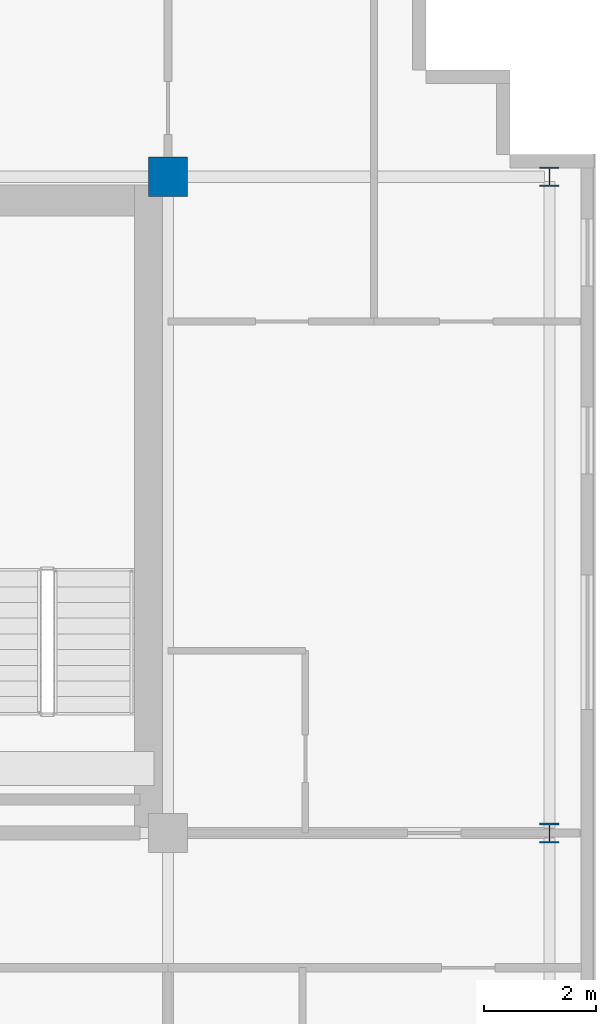
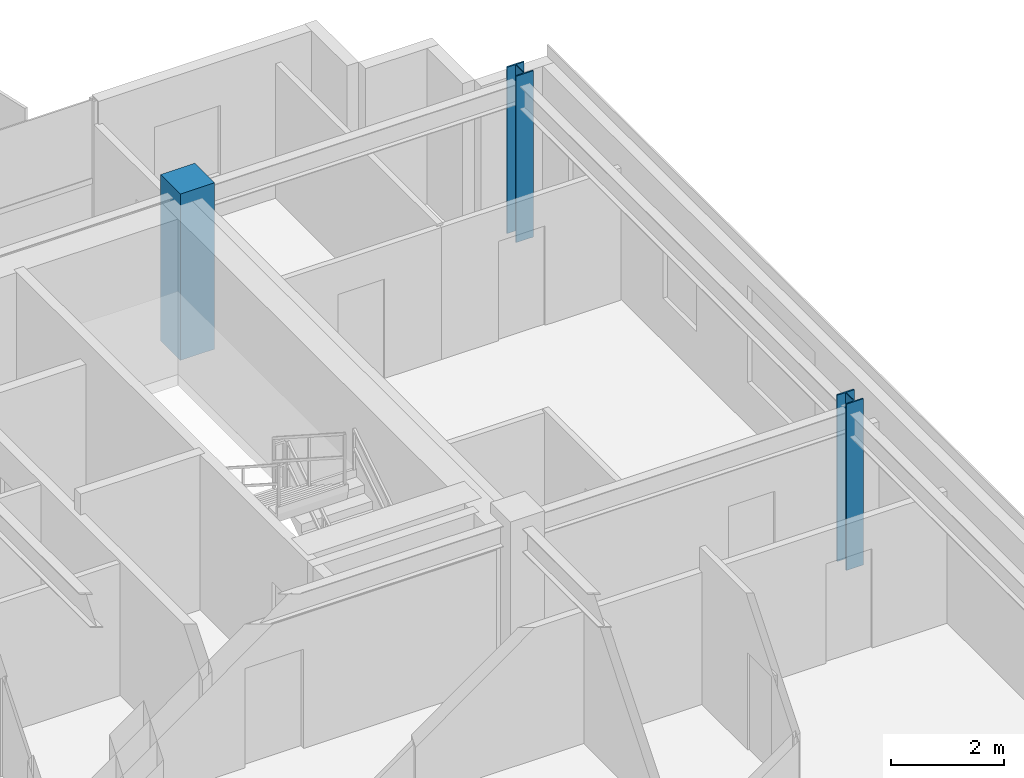
# One storey, part 4 of 23: 3 columns.
"""IFC4 building model written with IfcOpenShell, lengths in metres."""

import ifcopenshell
import ifcopenshell.guid

model = None  # the IFC model being written
_history = None  # IfcOwnerHistory: only IFC2X3 demands one
_inside = {}  # id of a spatial element -> (the spatial element, [elements in it])
_under = {}  # id of a project, library or spatial element -> (it, [spatial elements below it])
_declared = {}  # id of a project -> (the project, [libraries it declares])
_typed = {}  # id of a type object -> (the type object, [elements of that type])
_made_of = {}  # id of a material, layer set ... -> (it, [elements and type objects made of it])


def new_model(schema):
    """Start an empty IFC model of exactly this schema.

    Asked for "IFC4X3", IfcOpenShell would pick the latest addendum, in which some entities
    have other attributes; the version numbers below select the first issue.
    IFC2X3 requires an IfcOwnerHistory on every rooted entity: one is made here for all.
    """
    global model, _history
    if schema == "IFC4X3":
        model = ifcopenshell.file(schema_version=(4, 3, 0, 0))
    else:
        model = ifcopenshell.file(schema=schema)
    _inside.clear()
    _under.clear()
    _declared.clear()
    _typed.clear()
    _made_of.clear()
    _history = None
    if model.schema == "IFC2X3":
        org = make("IfcOrganization", Name="unknown")
        user = make(
            "IfcPersonAndOrganization",
            ThePerson=make("IfcPerson", FamilyName="unknown"),
            TheOrganization=org,
        )
        app = make(
            "IfcApplication",
            ApplicationDeveloper=org,
            Version="unknown",
            ApplicationFullName="unknown",
            ApplicationIdentifier="unknown",
        )
        _history = make(
            "IfcOwnerHistory",
            OwningUser=user,
            OwningApplication=app,
            ChangeAction="ADDED",
            CreationDate=0,
        )
    return model


def make(cls, **values):
    """One entity of the class cls with the attributes given. An attribute that is None is left unset."""
    return model.create_entity(
        cls, **{name: value for name, value in values.items() if value is not None}
    )


def rooted(cls, **values):
    """An entity with a GlobalId (a new one), such as an element, a storey or a relation."""
    return make(cls, GlobalId=ifcopenshell.guid.new(), OwnerHistory=_history, **values)


def si_unit(unit_type, name, prefix=None):
    """IfcSIUnit, for example si_unit("LENGTHUNIT", "METRE", prefix="MILLI")."""
    return make("IfcSIUnit", UnitType=unit_type, Prefix=prefix, Name=name)


def assignment(units):
    """IfcUnitAssignment: the units of a project."""
    return None if units is None else make("IfcUnitAssignment", Units=units)


def point(xyz):
    """IfcCartesianPoint."""
    return None if xyz is None else make("IfcCartesianPoint", Coordinates=xyz)


def direction(xyz):
    """IfcDirection."""
    return None if xyz is None else make("IfcDirection", DirectionRatios=xyz)


def frame(location, z_axis=None, x_axis=None):
    """IfcAxis2Placement3D, a coordinate frame: its origin and axes. An axis left out is left unset."""
    return make(
        "IfcAxis2Placement3D",
        Location=point(location),
        Axis=direction(z_axis),
        RefDirection=direction(x_axis),
    )


def frame_2d(location, x_axis=None):
    """IfcAxis2Placement2D, a coordinate frame in the plane: its origin and x axis."""
    return make(
        "IfcAxis2Placement2D", Location=point(location), RefDirection=direction(x_axis)
    )


def origin():
    """The frame at (0, 0, 0) with its axes left unset."""
    return frame((0.0, 0.0, 0.0))


def origin_2d():
    """The frame at (0, 0) in the plane with its x axis left unset."""
    return frame_2d((0.0, 0.0))


def place(relative_to, where):
    """IfcLocalPlacement: puts the frame where relative to a parent placement (None: the world)."""
    return make(
        "IfcLocalPlacement", PlacementRelTo=relative_to, RelativePlacement=where
    )


def context(
    kind, dimensions, precision=None, world=None, true_north=None, identifier=None
):
    """IfcGeometricRepresentationContext, for example the 3D "Model" context."""
    return make(
        "IfcGeometricRepresentationContext",
        ContextIdentifier=identifier,
        ContextType=kind,
        CoordinateSpaceDimension=dimensions,
        Precision=precision,
        WorldCoordinateSystem=world,
        TrueNorth=true_north,
    )


def subcontext(parent, identifier, kind, view, scale=None):
    """IfcGeometricRepresentationSubContext, for example "Body" below "Model"."""
    return make(
        "IfcGeometricRepresentationSubContext",
        ContextIdentifier=identifier,
        ContextType=kind,
        ParentContext=parent,
        TargetScale=scale,
        TargetView=view,
    )


def project(units=None, contexts=None):
    """IfcProject with its units and contexts."""
    return rooted(
        "IfcProject",
        Name="project",
        RepresentationContexts=contexts,
        UnitsInContext=assignment(units),
    )


def spatial(cls, under=None, at=None, **own):
    """A site, building, storey or space (cls), placed at a placement, below another one or the project."""
    s = rooted(cls, ObjectPlacement=at, **own)
    if under is not None:
        _under.setdefault(under.id(), (under, []))[1].append(s)
    return s


def profile(cls, at=None, kind="AREA", **sizes):
    """A parametric profile (cls). Its sizes go by their IFC names, for example OverallWidth=200.0."""
    return make(cls, ProfileType=kind, Position=at, **sizes)


def rectangle(**sizes):
    """IfcRectangleProfileDef."""
    return profile("IfcRectangleProfileDef", **sizes)


def i_section(**sizes):
    """IfcIShapeProfileDef."""
    return profile("IfcIShapeProfileDef", **sizes)


def extrude(swept, where, along, depth):
    """IfcExtrudedAreaSolid: the profile swept, set in the frame where, extruded along a direction by depth."""
    return make(
        "IfcExtrudedAreaSolid",
        SweptArea=swept,
        Position=where,
        ExtrudedDirection=direction(along),
        Depth=depth,
    )


def shape(context_of_items, identifier, shape_type, items):
    """IfcShapeRepresentation: the items that make up one representation, for example the "Body"."""
    return make(
        "IfcShapeRepresentation",
        ContextOfItems=context_of_items,
        RepresentationIdentifier=identifier,
        RepresentationType=shape_type,
        Items=items,
    )


def source(mapping_origin, context_of_items, identifier, shape_type, items):
    """IfcRepresentationMap: a shape defined once, which mapped items show again and again."""
    return make(
        "IfcRepresentationMap",
        MappingOrigin=mapping_origin,
        MappedRepresentation=shape(context_of_items, identifier, shape_type, items),
    )


def transform(
    local_origin,
    x_axis=None,
    y_axis=None,
    z_axis=None,
    scale=None,
    scale2=None,
    scale3=None,
    uniform=True,
):
    """IfcCartesianTransformationOperator3D, or its non-uniform kind. x_axis, y_axis, z_axis: its Axis1, 2, 3."""
    if uniform:
        return make(
            "IfcCartesianTransformationOperator3D",
            Axis1=direction(x_axis),
            Axis2=direction(y_axis),
            LocalOrigin=point(local_origin),
            Scale=scale,
            Axis3=direction(z_axis),
        )
    return make(
        "IfcCartesianTransformationOperator3DnonUniform",
        Axis1=direction(x_axis),
        Axis2=direction(y_axis),
        LocalOrigin=point(local_origin),
        Scale=scale,
        Axis3=direction(z_axis),
        Scale2=scale2,
        Scale3=scale3,
    )


def mapped(mapping_source, mapping_target):
    """IfcMappedItem: shows the shape of a source again, moved by a transform."""
    return make(
        "IfcMappedItem", MappingSource=mapping_source, MappingTarget=mapping_target
    )


def material(Name=None, Category=None):
    """IfcMaterial."""
    return make("IfcMaterial", Name=Name, Category=Category)


def material_profile(
    of_material, cross_section, Name=None, Category=None, Priority=None
):
    """IfcMaterialProfile: a cross section and its material."""
    return make(
        "IfcMaterialProfile",
        Name=Name,
        Material=of_material,
        Profile=cross_section,
        Priority=Priority,
        Category=Category,
    )


def profile_set(profiles, Name=None, composite=None):
    """IfcMaterialProfileSet."""
    return make(
        "IfcMaterialProfileSet",
        Name=Name,
        MaterialProfiles=profiles,
        CompositeProfile=composite,
    )


def made_of(thing, what):
    """Note that an element or type object is made of a material, layer set ...; save() writes the relation."""
    if what is not None:
        _made_of.setdefault(what.id(), (what, []))[1].append(thing)
    return thing


def type_object(cls, material=None, **own):
    """A type object (cls), such as IfcWallType, which elements share."""
    return made_of(rooted(cls, **own), material)


def element(
    cls,
    number,
    at=None,
    inside=None,
    cuts=None,
    type_object=None,
    material=None,
    context=None,
    identifier="Body",
    shape_type=None,
    held_by="IfcProductDefinitionShape",
    body=None,
    shapes=None,
    **own,
):
    """One element of the class cls, such as IfcWall. Its Tag is "e" and its number.

    at: its placement. inside: the storey or other place that contains it. cuts: it is an
    opening in that element (IfcRelVoidsElement). A single representation is given by context,
    identifier, shape_type and body (its items); several are given by shapes. held_by: the class
    of the entity that holds the representations. save() writes the other relations.
    """
    e = rooted(cls, Tag="e%d" % number, ObjectPlacement=at, **own)
    if body is not None:
        shapes = [shape(context, identifier, shape_type, body)]
    if shapes is not None:
        e.Representation = make(held_by, Representations=shapes)
    if inside is not None:
        _inside.setdefault(inside.id(), (inside, []))[1].append(e)
    if cuts is not None:
        rooted(
            "IfcRelVoidsElement", RelatingBuildingElement=cuts, RelatedOpeningElement=e
        )
    if type_object is not None:
        _typed.setdefault(type_object.id(), (type_object, []))[1].append(e)
    return made_of(e, material)


def aggregate(whole, parts):
    """IfcRelAggregates: a whole, such as a stair, and the parts it consists of."""
    return rooted("IfcRelAggregates", RelatingObject=whole, RelatedObjects=parts)


def save(model, path):
    """Write the relations noted so far, then the file.

    IfcRelAggregates (storeys below a building ...), IfcRelContainedInSpatialStructure (elements
    in a storey), IfcRelDefinesByType, IfcRelAssociatesMaterial and IfcRelDeclares: one each for
    every whole, place, type object, material and project.
    """
    for whole, parts in _under.values():
        aggregate(whole, parts)
    for where, things in _inside.values():
        rooted(
            "IfcRelContainedInSpatialStructure",
            RelatedElements=things,
            RelatingStructure=where,
        )
    for kind, things in _typed.values():
        rooted("IfcRelDefinesByType", RelatedObjects=things, RelatingType=kind)
    for what, things in _made_of.values():
        rooted("IfcRelAssociatesMaterial", RelatedObjects=things, RelatingMaterial=what)
    for by, libraries in _declared.values():
        rooted("IfcRelDeclares", RelatingContext=by, RelatedDefinitions=libraries)
    model.write(path)


model = new_model("IFC4")

# Units and contexts
model_context = context("Model", 3, precision=1e-05, world=origin(), true_north=direction((0.0, 1.0)))
body_context = subcontext(model_context, "Body", "Model", "MODEL_VIEW")
ifc_project = project(units=[si_unit("LENGTHUNIT", "METRE"), si_unit("AREAUNIT", "SQUARE_METRE"), si_unit("VOLUMEUNIT", "CUBIC_METRE"), si_unit("PLANEANGLEUNIT", "RADIAN"), si_unit("MASSUNIT", "GRAM", prefix="KILO")], contexts=[model_context])

# Site, building, storey
site_placement = place(None, origin())
site = spatial("IfcSite", under=ifc_project, at=site_placement, CompositionType="ELEMENT")
building_placement = place(site_placement, origin())
building = spatial("IfcBuilding", under=site, at=building_placement, Name="Trelvane Seafront Commons", CompositionType="ELEMENT")
storey_placement = place(building_placement, frame((0.0, 0.0, 219.300048828125)))
storey = spatial("IfcBuildingStorey", under=building, at=storey_placement, Name="L57", CompositionType="ELEMENT", Elevation=219.300048828125)

# Columns
ifc_material_1 = material(Name="Concrete C50/60", Category="concrete")
ifc_material_profile_1 = material_profile(ifc_material_1, rectangle(XDim=0.699951171875, YDim=0.699951171875, at=origin_2d()), Name="RC-700x700")
ifc_profile_set_1 = profile_set([ifc_material_profile_1], Name="Concrete C50/60")
column_type_1 = type_object("IfcColumnType", Name="STR-COL-RC700", PredefinedType="COLUMN", material=ifc_profile_set_1)
shared_shape_1 = source(origin(), body_context, "Body", "SweptSolid", [
    extrude(rectangle(XDim=0.699951171875, YDim=0.699951171875, at=origin_2d()), origin(), (0.0, 0.0, 1.0), 3.599853515625),
])
column_placement = place(storey_placement, frame((58.800048828125, 45.10009765625, 0.0), z_axis=(0.0, 0.0, 1.0), x_axis=(1.0, 0.0, 0.0)))
element("IfcColumn", 1, at=column_placement, inside=storey, type_object=column_type_1, Name="L57 Column TC-CN58.8", PredefinedType="COLUMN", context=body_context, shape_type="MappedRepresentation", body=[
    mapped(shared_shape_1, transform((0.0, 0.0, 0.0), x_axis=(1.0, 0.0, 0.0), y_axis=(0.0, 1.0, 0.0), z_axis=(0.0, 0.0, 1.0), scale=1.0)),
])
ifc_material_2 = material(Name="Steel SM355 (S355)", Category="steel")
ifc_material_profile_2 = material_profile(ifc_material_2, i_section(OverallWidth=0.35009765625, OverallDepth=0.35009765625, WebThickness=0.01806640625, FlangeThickness=0.028076171875, at=origin_2d()), Name="HD-350x350x18x28")
ifc_profile_set_2 = profile_set([ifc_material_profile_2], Name="Steel SM355 (S355)")
column_type_2 = type_object("IfcColumnType", Name="STR-COL-HD350", PredefinedType="COLUMN", material=ifc_profile_set_2)
shared_shape_2 = source(origin(), body_context, "Body", "SweptSolid", [
    extrude(i_section(OverallWidth=0.35009765625, OverallDepth=0.35009765625, WebThickness=0.01806640625, FlangeThickness=0.028076171875, at=origin_2d()), origin(), (0.0, 0.0, 1.0), 3.599853515625),
])
for number, where, z_axis, x_axis, name in (
    (2, (65.60009765625, 33.39990234375, 0.0), (0.0, 0.0, 1.0), (1.0, 0.0, 0.0), "L57 Column TC-CS65.6"),
    (3, (65.60009765625, 45.10009765625, 0.0), (0.0, 0.0, 1.0), (1.0, 0.0, 0.0), "L57 Column TC-CN65.6"),
):
    element("IfcColumn", number, at=place(storey_placement, frame(where, z_axis=z_axis, x_axis=x_axis)), inside=storey, type_object=column_type_2, Name=name, PredefinedType="COLUMN", context=body_context, shape_type="MappedRepresentation", body=[
        mapped(shared_shape_2, transform((0.0, 0.0, 0.0), x_axis=(1.0, 0.0, 0.0), y_axis=(0.0, 1.0, 0.0), z_axis=(0.0, 0.0, 1.0), scale=1.0)),
    ])

save(model, "model.ifc")
